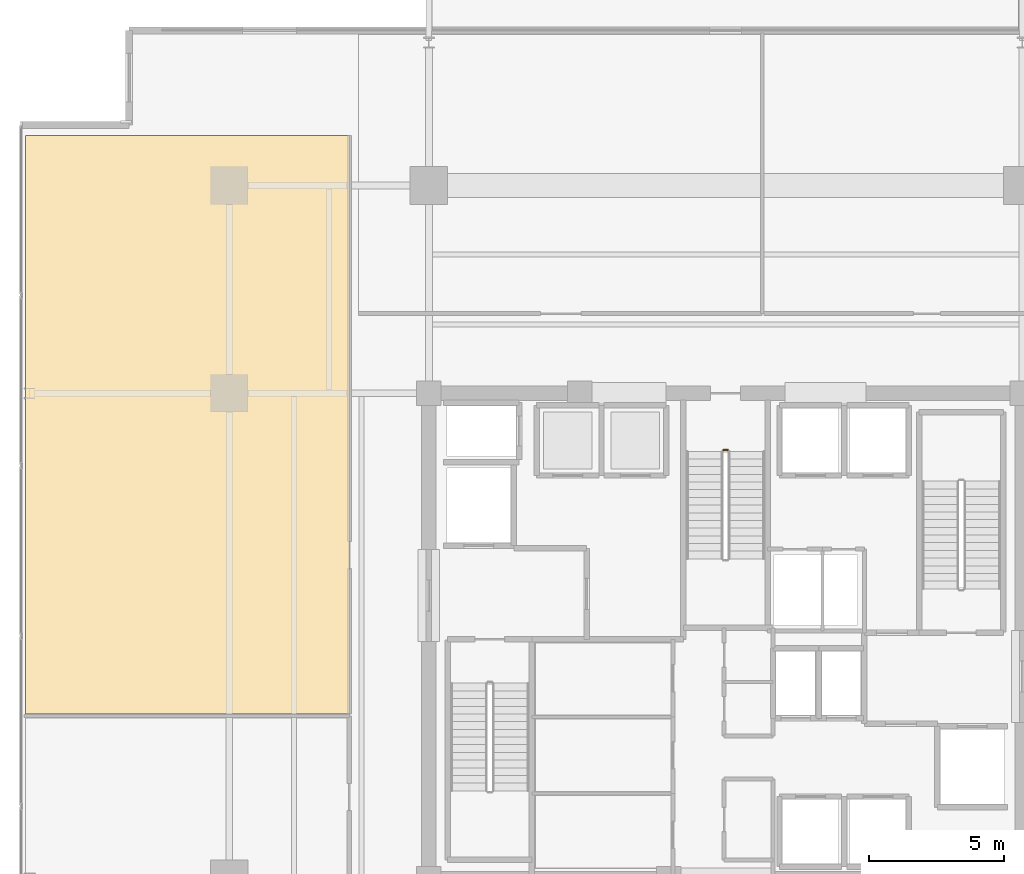
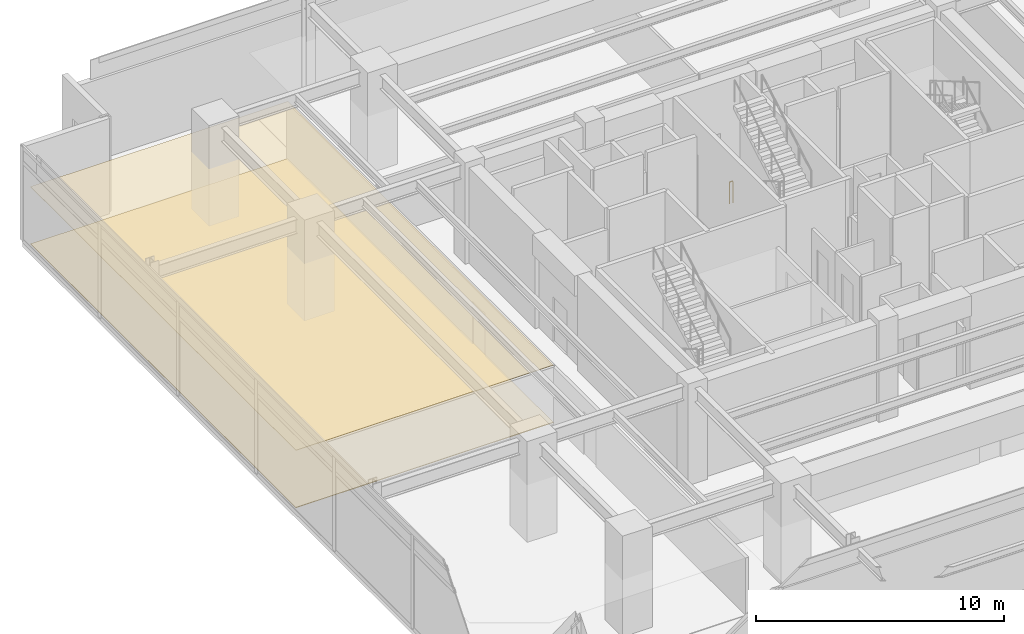
# One storey, part 23 of 25: 2 coverings, 1 railing.
"""IFC4 building model written with IfcOpenShell, lengths in metres."""

from ifc_helpers import new_model, si_unit, direction, frame, origin, origin_2d, place, context, subcontext, project, spatial, polyline, circle, outline, extrude, material, layer, layer_set, type_object, element, save


model = new_model("IFC4")

# Units and contexts
model_context = context("Model", 3, precision=1e-05, world=origin(), true_north=direction((0.0, 1.0)))
body_context = subcontext(model_context, "Body", "Model", "MODEL_VIEW")
ifc_project = project(units=[si_unit("LENGTHUNIT", "METRE"), si_unit("AREAUNIT", "SQUARE_METRE"), si_unit("VOLUMEUNIT", "CUBIC_METRE"), si_unit("PLANEANGLEUNIT", "RADIAN"), si_unit("MASSUNIT", "GRAM", prefix="KILO")], contexts=[model_context])

# Site, building, storey
site_placement = place(None, origin())
site = spatial("IfcSite", under=ifc_project, at=site_placement, CompositionType="ELEMENT")
building_placement = place(site_placement, origin())
building = spatial("IfcBuilding", under=site, at=building_placement, Name="Kovane Verandah Tower", CompositionType="ELEMENT")
storey_placement = place(building_placement, frame((0.0, 0.0, 233.199951171875)))
storey = spatial("IfcBuildingStorey", under=building, at=storey_placement, Name="L54", CompositionType="ELEMENT", Elevation=233.199951171875)

# Coverings
ifc_material_1 = material(Name="Perforated Acoustic Mineral-Fibre Ceiling Tile", Category="gypsum")
ifc_layer_1 = layer(ifc_material_1, 0.02490234375)
ifc_layer_set_1 = layer_set([ifc_layer_1], Name="Perforated Acoustic Mineral-Fibre Ceiling Tile")
covering_type_1 = type_object("IfcCoveringType", Name="CV-CEIL-25", PredefinedType="CEILING", material=ifc_layer_set_1)
covering_1_placement = place(storey_placement, frame((0.0, 0.0, 2.824951171875)))
element("IfcCovering", 1, at=covering_1_placement, inside=storey, type_object=covering_type_1, Name="L54 Document and Print Room W2 Acoustic Ceiling", PredefinedType="CEILING", context=body_context, shape_type="SweptSolid", body=[
    extrude(outline(polyline([(14.042724609375, 24.60205078125), (26.050048828125, 24.60205078125), (26.050048828125, 46.049560546875), (14.042724609375, 46.049560546875), (14.042724609375, 24.60205078125)])), origin(), (0.0, 0.0, 1.0), 0.025146484375),
])
ifc_material_2 = material(Name="Polished Terrazzo and Raised-Access Carpet Tile Finish", Category="concrete")
ifc_layer_2 = layer(ifc_material_2, 0.030029296875)
ifc_layer_set_2 = layer_set([ifc_layer_2], Name="Polished Terrazzo and Raised-Access Carpet Tile Finish")
covering_type_2 = type_object("IfcCoveringType", Name="CV-FLOR-30", PredefinedType="FLOORING", material=ifc_layer_set_2)
covering_2_placement = place(storey_placement, origin())
element("IfcCovering", 2, at=covering_2_placement, inside=storey, type_object=covering_type_2, Name="L54 Document and Print Room W2 Floor Finish", PredefinedType="FLOORING", context=body_context, shape_type="SweptSolid", body=[
    extrude(outline(polyline([(14.042724609375, 24.60205078125), (26.050048828125, 24.60205078125), (26.050048828125, 46.049560546875), (14.042724609375, 46.049560546875), (14.042724609375, 24.60205078125)])), origin(), (0.0, 0.0, 1.0), 0.030029296875),
])

# Railing
ifc_material_3 = material(Name="Painted Steel Stairwell Guardrail", Category="steel")
railing_type = type_object("IfcRailingType", Name="RL-STGUARD-1120", PredefinedType="GUARDRAIL", material=ifc_material_3)
railing_placement = place(storey_placement, frame((39.919921875, 34.39990234375, 0.0)))
element("IfcRailing", 3, at=railing_placement, inside=storey, type_object=railing_type, Name="L54 ST-03 stair guard 4", PredefinedType="GUARDRAIL", context=body_context, shape_type="SweptSolid", body=[
    extrude(circle(Radius=0.02392578125, at=origin_2d()), frame((0.0, 0.0, 1.076171875), z_axis=(1.0, 0.0, 0.0), x_axis=(0.0, 1.0, 0.0)), (0.0, 0.0, 1.0), 0.16015625),
    extrude(circle(Radius=0.02099609375, at=origin_2d()), origin(), (0.0, 0.0, 1.0), 1.052001953125),
    extrude(circle(Radius=0.02099609375, at=origin_2d()), frame((0.16015625, 0.0, 0.0)), (0.0, 0.0, 1.0), 1.052001953125),
])

save(model, "model.ifc")
